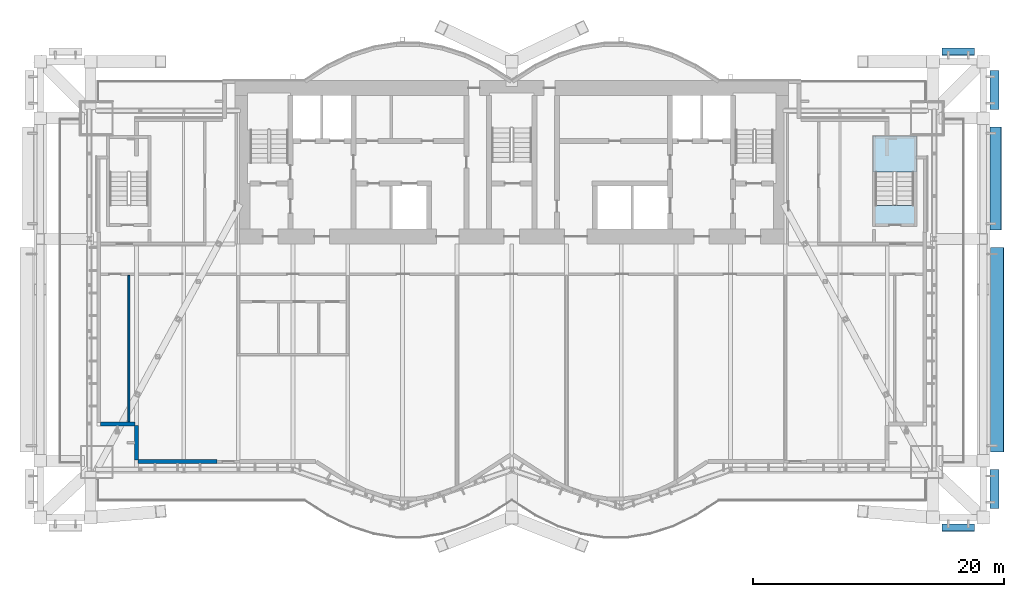
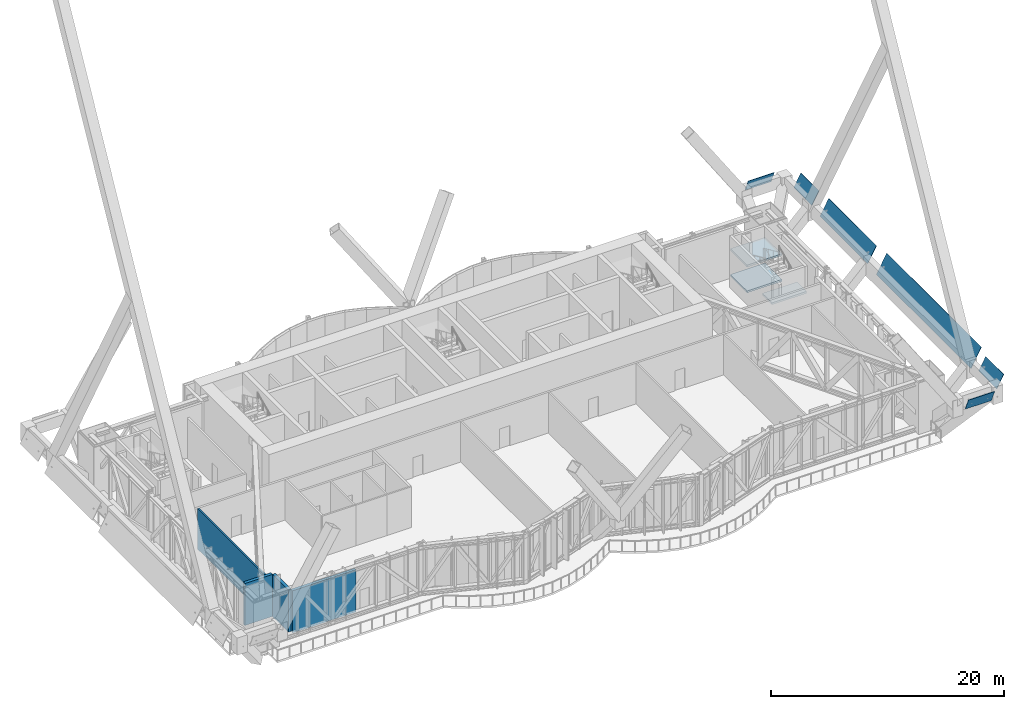
# One storey, part 22 of 30: 6 plates, 4 walls, 3 slabs, 1 element without a shape of its own.
"""IFC4 building model written with IfcOpenShell, lengths in metres."""

from ifc_helpers import new_model, si_unit, direction, frame, frame_2d, origin, place, context, subcontext, project, spatial, polyline, rectangle, outline, extrude, material, layer, layer_set, layer_usage, type_object, element, aggregate, save


model = new_model("IFC4")

# Units and contexts
model_context = context("Model", 3, precision=1e-05, world=origin(), true_north=direction((0.0, 1.0)))
body_context = subcontext(model_context, "Body", "Model", "MODEL_VIEW")
ifc_project = project(units=[si_unit("LENGTHUNIT", "METRE"), si_unit("AREAUNIT", "SQUARE_METRE"), si_unit("VOLUMEUNIT", "CUBIC_METRE"), si_unit("PLANEANGLEUNIT", "RADIAN"), si_unit("MASSUNIT", "GRAM", prefix="KILO")], contexts=[model_context])

# Site, building, storey
site_placement = place(None, origin())
site = spatial("IfcSite", under=ifc_project, at=site_placement, CompositionType="ELEMENT")
building_placement = place(site_placement, origin())
building = spatial("IfcBuilding", under=site, at=building_placement, Name="Bicima Exchange Tower", CompositionType="ELEMENT")
storey_placement = place(building_placement, frame((0.0, 0.0, 185.5)))
storey = spatial("IfcBuildingStorey", under=building, at=storey_placement, Name="L41", CompositionType="ELEMENT", Elevation=185.5)

# Plates
ifc_material_1 = material(Name="Dark tinted spandrel glass", Category="glass")
ifc_layer_1 = layer(ifc_material_1, 0.0400390625)
ifc_layer_set_1 = layer_set([ifc_layer_1], Name="Dark tinted spandrel glass")
plate_type = type_object("IfcPlateType", Name="Belt fascia glass panel 40", PredefinedType="SHEET", material=ifc_layer_set_1)
plate_1_placement = place(storey_placement, frame((34.199951171875, -35.28662109375, 4.050048828125), z_axis=(0.0, 0.919715682457, 0.39258510344), x_axis=(1.0, 0.0, 0.0)))
element("IfcPlate", 1, at=plate_1_placement, inside=storey, type_object=plate_type, Name="Belt fascia glass panel", PredefinedType="SHEET", context=body_context, shape_type="SweptSolid", body=[
    extrude(outline(polyline([(0.0, 0.0), (2.60009765625, 0.0), (2.60009765625, -1.3917663048388182), (0.0, -1.3917663048388182), (0.0, 0.0)])), origin(), (0.0, 0.0, -1.0), 0.0400390625),
])
plate_2_placement = place(storey_placement, frame((38.030029296875, -34.056640625, 4.050048828125), z_axis=(-0.876685030348, 0.0, 0.481064816386), x_axis=(0.0, 1.0, 0.0)))
element("IfcPlate", 2, at=plate_2_placement, inside=storey, type_object=plate_type, Name="Belt fascia glass panel", PredefinedType="SHEET", context=body_context, shape_type="SweptSolid", body=[
    extrude(outline(polyline([(0.0, 0.0), (3.099853515625, 0.0), (3.099853515625, -1.460078879603219), (0.0, -1.460078879603219), (0.0, 0.0)])), origin(), (0.0, 0.0, -1.0), 0.0400390625),
])
plate_3_placement = place(storey_placement, frame((38.080078125, -29.556640625, 3.449951171875), z_axis=(-0.876674581874, 0.0, 0.481083857031), x_axis=(0.0, 1.0, 0.0)))
element("IfcPlate", 3, at=plate_3_placement, inside=storey, type_object=plate_type, Name="Belt fascia glass panel", PredefinedType="SHEET", context=body_context, shape_type="SweptSolid", body=[
    extrude(outline(polyline([(0.0, 0.0), (16.256591796875, 0.0), (16.256591796875, -2.1446121422914213), (0.0, -2.1446121422914213), (0.0, 0.0)])), origin(), (0.0, 0.0, -1.0), 0.0400390625),
])
plate_4_placement = place(storey_placement, frame((38.030029296875, -11.89990234375, 3.75), z_axis=(-0.876650248979, 0.0, 0.481128195978), x_axis=(0.0, 1.0, 0.0)))
element("IfcPlate", 4, at=plate_4_placement, inside=storey, type_object=plate_type, Name="Belt fascia glass panel", PredefinedType="SHEET", context=body_context, shape_type="SweptSolid", body=[
    extrude(outline(polyline([(0.0, 0.0), (8.199951171875, 0.0), (8.199951171875, -1.8024042391372048), (0.0, -1.8024042391372048), (0.0, 0.0)])), origin(), (0.0, 0.0, -1.0), 0.0400390625),
])
plate_5_placement = place(storey_placement, frame((38.030029296875, -2.300048828125, 4.050048828125), z_axis=(-0.876685030348, 0.0, 0.481064816386), x_axis=(0.0, 1.0, 0.0)))
element("IfcPlate", 5, at=plate_5_placement, inside=storey, type_object=plate_type, Name="Belt fascia glass panel", PredefinedType="SHEET", context=body_context, shape_type="SweptSolid", body=[
    extrude(outline(polyline([(0.0, 0.0), (3.10009765625, 0.0), (3.10009765625, -1.4600788796032191), (0.0, -1.4600788796032191), (0.0, 0.0)])), origin(), (0.0, 0.0, -1.0), 0.0400390625),
])
plate_6_placement = place(storey_placement, frame((36.800048828125, 2.576416015625, 4.050048828125), z_axis=(0.0, 0.919715682457, 0.39258510344), x_axis=(-1.0, 0.0, 0.0)))
element("IfcPlate", 6, at=plate_6_placement, inside=storey, type_object=plate_type, Name="Belt fascia glass panel", PredefinedType="SHEET", context=body_context, shape_type="SweptSolid", body=[
    extrude(outline(polyline([(0.0, 0.0), (2.60009765625, 0.0), (2.60009765625, 1.3917663048388182), (0.0, 1.3917663048388182), (0.0, 0.0)])), origin(), (0.0, 0.0, -1.0), 0.0400390625),
])

# Stair, slabs
ifc_material_2 = material(Name="Concrete C50/60", Category="concrete")
stair_type = type_object("IfcStairType", Name="Exit stair", PredefinedType="HALF_TURN_STAIR", material=ifc_material_2)
stair_placement = place(storey_placement, origin())
stair = element("IfcStair", 7, at=stair_placement, inside=storey, type_object=stair_type, Name="L41 East end exit stair", PredefinedType="HALF_TURN_STAIR")
ifc_layer_2 = layer(ifc_material_2, 0.199951171875)
ifc_layer_set_2 = layer_set([ifc_layer_2], Name="Concrete C50/60")
slab_type = type_object("IfcSlabType", Name="Stair landing slab", PredefinedType="LANDING", material=ifc_layer_set_2)
slab_1_placement = place(storey_placement, frame((0.0, 0.0, 1.14990234375)))
slab_1 = element("IfcSlab", 8, at=slab_1_placement, type_object=slab_type, Name="ST-EE landing 1", PredefinedType="LANDING", context=body_context, shape_type="SweptSolid", body=[
    extrude(outline(polyline([(32.175048828125, -7.294921875), (32.175048828125, -4.425048828125), (28.72509765625, -4.425048828125), (28.72509765625, -7.294921875), (32.175048828125, -7.294921875)])), origin(), (0.0, 0.0, 1.0), 0.2001953125),
])
slab_2_placement = place(storey_placement, frame((0.0, 0.0, 2.5)))
slab_2 = element("IfcSlab", 9, at=slab_2_placement, type_object=slab_type, Name="ST-EE landing 2", PredefinedType="LANDING", context=body_context, shape_type="SweptSolid", body=[
    extrude(outline(polyline([(32.175048828125, -11.574951171875), (32.175048828125, -9.925048828125), (28.72509765625, -9.925048828125), (28.72509765625, -11.574951171875), (32.175048828125, -11.574951171875)])), origin(), (0.0, 0.0, 1.0), 0.199951171875),
])
slab_3_placement = place(storey_placement, frame((0.0, 0.0, 3.85009765625)))
slab_3 = element("IfcSlab", 10, at=slab_3_placement, type_object=slab_type, Name="ST-EE landing 3", PredefinedType="LANDING", context=body_context, shape_type="SweptSolid", body=[
    extrude(outline(polyline([(32.175048828125, -7.294921875), (32.175048828125, -4.425048828125), (28.72509765625, -4.425048828125), (28.72509765625, -7.294921875), (32.175048828125, -7.294921875)])), origin(), (0.0, 0.0, 1.0), 0.199951171875),
])
aggregate(stair, [slab_1, slab_2, slab_3])

# Walls
ifc_material_3 = material(Name="Gypsum board partition")
ifc_layer_3 = layer(ifc_material_3, 0.14990234375)
ifc_layer_set_3 = layer_set([ifc_layer_3], Name="Gypsum board partition")
wall_type_1 = type_object("IfcWallType", Name="Gypsum partition 150", PredefinedType="PARTITIONING", material=ifc_layer_set_3)
wall_1_placement = place(storey_placement, frame((-30.449951171875, -27.159912109375, 0.0), z_axis=(0.0, 0.0, 1.0), x_axis=(0.0, 1.0, 0.0)))
element("IfcWall", 11, at=wall_1_placement, inside=storey, type_object=wall_type_1, Name="partition wall 13", PredefinedType="PARTITIONING", context=body_context, shape_type="SweptSolid", body=[
    extrude(rectangle(XDim=11.659912109375, YDim=0.14990234375, at=frame_2d((5.830078125, 0.0))), origin(), (0.0, 0.0, 1.0), 4.259765625),
])
ifc_material_4 = material(Name="Concrete C40/50", Category="concrete")
ifc_layer_4 = layer(ifc_material_4, 0.3)
ifc_layer_set_4 = layer_set([ifc_layer_4], Name="Concrete C40/50")
ifc_layer_usage = layer_usage(ifc_layer_set_4, "AXIS2", "POSITIVE", -0.15)
wall_type_2 = type_object("IfcWallType", Name="Refuge band wall 300", PredefinedType="STANDARD", material=ifc_layer_set_4)
for number, where, z_axis, x_axis, name in (
    (12, (-32.72412109375, -27.31005859375, 0.0), (0.0, 0.0, 1.0), (1.0, 0.0, 0.0), "Refuge band wall L41"),
    (13, (-29.85009765625, -27.435791015625, 0.0), (0.0, 0.0, 1.0), (0.0, -1.0, 0.0), "Refuge band wall L41"),
):
    element("IfcWall", number, at=place(storey_placement, frame(where, z_axis=z_axis, x_axis=x_axis)), inside=storey, type_object=wall_type_2, material=ifc_layer_usage, Name=name, PredefinedType="STANDARD", context=body_context, shape_type="SweptSolid", body=[
        extrude(rectangle(XDim=2.748291015625, YDim=0.300048828125, at=frame_2d((1.3740234375, 0.0))), origin(), (0.0, 0.0, 1.0), 4.414306640625),
    ])
wall_2_placement = place(storey_placement, frame((-29.72412109375, -30.31005859375, 0.0), z_axis=(0.0, 0.0, 1.0), x_axis=(1.0, 0.0, 0.0)))
element("IfcWall", 14, at=wall_2_placement, inside=storey, type_object=wall_type_2, material=ifc_layer_usage, Name="Refuge band wall L41", PredefinedType="STANDARD", context=body_context, shape_type="SweptSolid", body=[
    extrude(rectangle(XDim=6.274169921875, YDim=0.300048828125, at=frame_2d((3.13720703125, 0.0))), origin(), (0.0, 0.0, 1.0), 4.414306640625),
])

save(model, "model.ifc")
